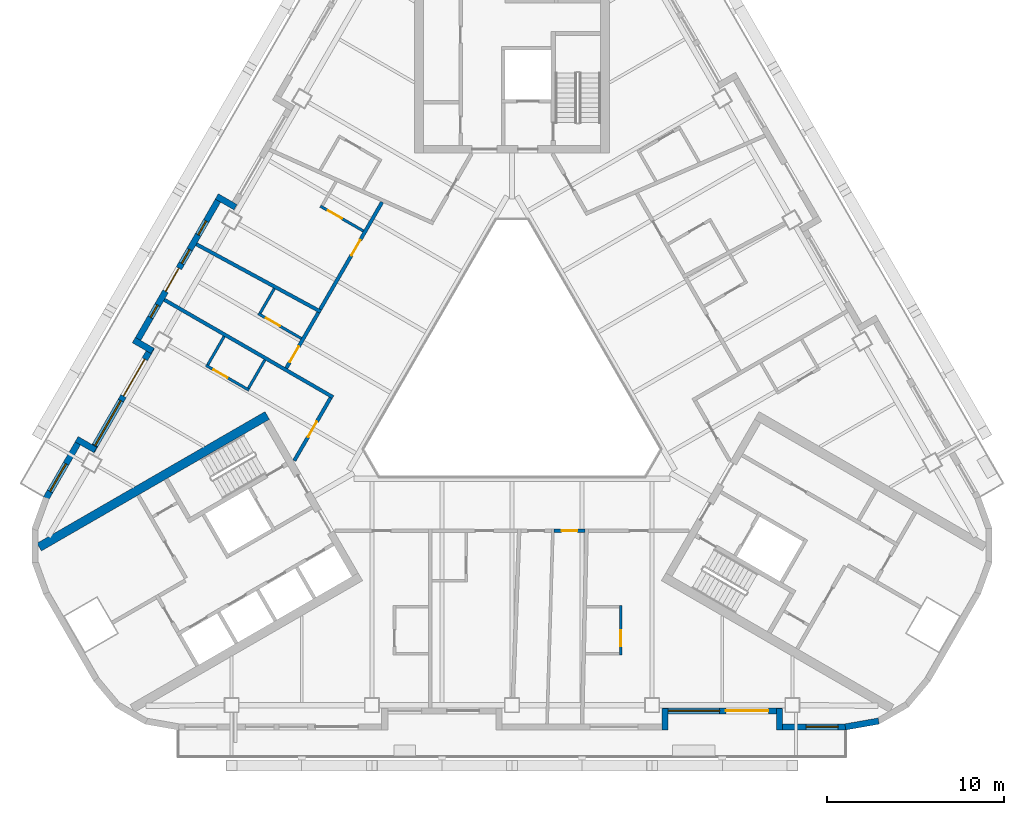
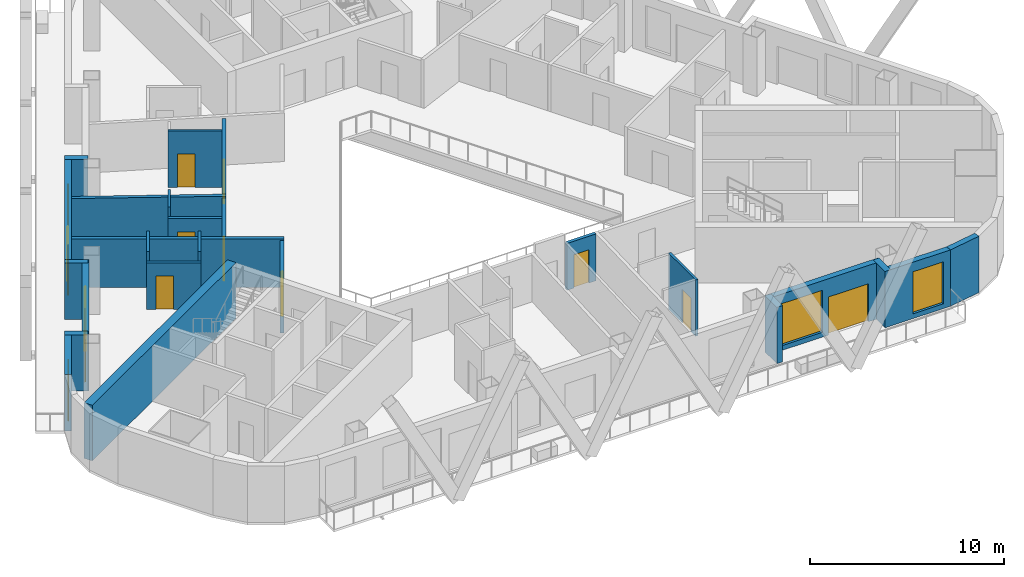
# One storey, part 4 of 14: 25 walls, 11 doors, 7 windows, 18 openings.
"""IFC4 building model written with IfcOpenShell, lengths in metres."""

from ifc_helpers import new_model, si_unit, direction, frame, frame_2d, origin, place, context, subcontext, project, spatial, rectangle, extrude, material, layer, layer_set, type_object, element, fill, save


model = new_model("IFC4")

# Units and contexts
model_context = context("Model", 3, precision=1e-05, world=origin(), true_north=direction((0.0, 1.0)))
body_context = subcontext(model_context, "Body", "Model", "MODEL_VIEW")
ifc_project = project(units=[si_unit("LENGTHUNIT", "METRE"), si_unit("AREAUNIT", "SQUARE_METRE"), si_unit("VOLUMEUNIT", "CUBIC_METRE"), si_unit("PLANEANGLEUNIT", "RADIAN"), si_unit("MASSUNIT", "GRAM", prefix="KILO")], contexts=[model_context])

# Site, building, storey
site_placement = place(None, origin())
site = spatial("IfcSite", under=ifc_project, at=site_placement, CompositionType="ELEMENT")
building_placement = place(site_placement, origin())
building = spatial("IfcBuilding", under=site, at=building_placement, Name="Apuvela Tower Hotel", CompositionType="ELEMENT")
storey_placement = place(building_placement, frame((0.0, 0.0, 154.0)))
storey = spatial("IfcBuildingStorey", under=building, at=storey_placement, Name="L36", CompositionType="ELEMENT", Elevation=154.0)

# Walls
ifc_material_1 = material(Name="Concrete C50/60", Category="concrete")
ifc_layer_1 = layer(ifc_material_1, 0.5)
ifc_layer_set_1 = layer_set([ifc_layer_1], Name="COR-WALL-CORE-500")
wall_type_1 = type_object("IfcWallType", Name="COR-WALL-CORE-500", PredefinedType="SHEAR", material=ifc_layer_set_1)
wall_1_placement = place(storey_placement, frame((-13.796630859375, -1.9033203125, 0.0), z_axis=(0.0, 0.0, 1.0), x_axis=(-0.866025009528, -0.500000682871, 0.0)))
element("IfcWall", 1, at=wall_1_placement, inside=storey, type_object=wall_type_1, Name="Core wall SW", PredefinedType="SHEAR", context=body_context, shape_type="SweptSolid", body=[
    extrude(rectangle(XDim=14.8369140625, YDim=0.5, at=frame_2d((7.41845703125, 0.0))), origin(), (0.0, 0.0, 1.0), 3.5),
])
ifc_material_2 = material(Name="Concrete C40/50, dark pigmented precast panel", Category="concrete")
ifc_layer_2 = layer(ifc_material_2, 0.35009765625)
ifc_layer_set_2 = layer_set([ifc_layer_2], Name="ENV-WALL-350")
wall_type_2 = type_object("IfcWallType", Name="ENV-WALL-350", PredefinedType="SOLIDWALL", material=ifc_layer_set_2)
wall_2_placement = place(storey_placement, frame((-15.580810546875, 9.8330078125, 0.0), z_axis=(0.0, 0.0, 1.0), x_axis=(-0.866055662726, 0.499947586314, 0.0)))
element("IfcWall", 2, at=wall_2_placement, inside=storey, type_object=wall_type_2, Name="External wall L36-04", PredefinedType="SOLIDWALL", context=body_context, shape_type="SweptSolid", body=[
    extrude(rectangle(XDim=1.220458984375, YDim=0.35009765625, at=frame_2d((0.6103515625, 0.0))), origin(), (0.0, 0.0, 1.0), 3.550048828125),
])

# Wall, openings, door, windows
wall_3_placement = place(storey_placement, frame((-16.3984375, 10.507080078125, 0.0), z_axis=(0.0, 0.0, 1.0), x_axis=(-0.499999142773, -0.866025898704, 0.0)))
wall_3 = element("IfcWall", 3, at=wall_3_placement, inside=storey, type_object=wall_type_2, Name="External wall L36-05", PredefinedType="SOLIDWALL", context=body_context, shape_type="SweptSolid", body=[
    extrude(rectangle(XDim=9.7001953125, YDim=0.35009765625, at=frame_2d((4.85009765625, 0.0))), origin(), (0.0, 0.0, 1.0), 3.550048828125),
])
opening_1_placement = place(wall_3_placement, frame((1.67529296875, 0.0, 0.300048828125)))
opening_1 = element("IfcOpeningElement", 4, at=opening_1_placement, cuts=wall_3, Name="Opening WN09", PredefinedType="OPENING", context=body_context, shape_type="SweptSolid", body=[
    extrude(rectangle(XDim=0.89990234375, YDim=2.64990234375, at=frame_2d((0.449951171875, 1.324951171875))), frame((0.0, 0.18505859375, 0.0), z_axis=(0.0, -1.0, 0.0), x_axis=(1.0, 0.0, 0.0)), (0.0, 0.0, 1.0), 0.3701171875),
])
opening_2_placement = place(wall_3_placement, frame((4.749755859375, 0.0, 0.0)))
opening_2 = element("IfcOpeningElement", 5, at=opening_2_placement, cuts=wall_3, Name="Opening BD15", PredefinedType="OPENING", context=body_context, shape_type="SweptSolid", body=[
    extrude(rectangle(XDim=1.5, YDim=2.39990234375, at=frame_2d((0.75, 1.199951171875))), frame((0.0, 0.18505859375, 0.0), z_axis=(0.0, -1.0, 0.0), x_axis=(1.0, 0.0, 0.0)), (0.0, 0.0, 1.0), 0.3701171875),
])
opening_3_placement = place(wall_3_placement, frame((3.53466796875, 0.0, 0.300048828125)))
opening_3 = element("IfcOpeningElement", 6, at=opening_3_placement, cuts=wall_3, Name="Opening WN09", PredefinedType="OPENING", context=body_context, shape_type="SweptSolid", body=[
    extrude(rectangle(XDim=0.89990234375, YDim=2.64990234375, at=frame_2d((0.449951171875, 1.324951171875))), frame((0.0, 0.18505859375, 0.0), z_axis=(0.0, -1.0, 0.0), x_axis=(1.0, 0.0, 0.0)), (0.0, 0.0, 1.0), 0.3701171875),
])
opening_4_placement = place(wall_3_placement, frame((7.14990234375, 0.0, 0.300048828125)))
opening_4 = element("IfcOpeningElement", 7, at=opening_4_placement, cuts=wall_3, Name="Opening WN08", PredefinedType="OPENING", context=body_context, shape_type="SweptSolid", body=[
    extrude(rectangle(XDim=0.800048828125, YDim=2.64990234375, at=frame_2d((0.39990234375, 1.324951171875))), frame((0.0, 0.18505859375, 0.0), z_axis=(0.0, -1.0, 0.0), x_axis=(1.0, 0.0, 0.0)), (0.0, 0.0, 1.0), 0.3701171875),
])
ifc_material_3 = material(Name="Aluminium 6063-T6, dark bronze anodised frame with dark tinted laminated glass", Category="aluminium")
door_type_1 = type_object("IfcDoorType", Name="ENV-DOOR-BALCONY-1500x2400", OperationType="SLIDING_TO_LEFT", PredefinedType="DOOR", material=ifc_material_3)
door_1_placement = place(opening_2_placement, frame((1.5, 0.0, 0.0), z_axis=(0.0, 0.0, 1.0), x_axis=(-1.0, 0.0, 0.0)))
door_1 = element("IfcDoor", 8, at=door_1_placement, inside=storey, type_object=door_type_1, Name="Balcony door BD15", OperationType="SLIDING_TO_LEFT", OverallHeight=2.39990234375, OverallWidth=1.5, PredefinedType="DOOR", context=body_context, shape_type="SweptSolid", body=[
    extrude(rectangle(XDim=1.5, YDim=2.39990234375, at=frame_2d((0.75, 1.199951171875))), frame((0.0, 0.02490234375, 0.0), z_axis=(0.0, -1.0, 0.0), x_axis=(1.0, 0.0, 0.0)), (0.0, 0.0, 1.0), 0.050048828125),
])
fill(opening_2, door_1)
ifc_material_4 = material(Name="Glass, dark tinted laminated insulated glazing unit", Category="glass")
window_type_1 = type_object("IfcWindowType", Name="ENV-WIN-800x2650", PartitioningType="SINGLE_PANEL", PredefinedType="WINDOW", material=ifc_material_4)
window_1_placement = place(opening_4_placement, origin())
window_1 = element("IfcWindow", 9, at=window_1_placement, inside=storey, type_object=window_type_1, Name="Window WN08", OverallHeight=2.64990234375, OverallWidth=0.800048828125, PartitioningType="SINGLE_PANEL", PredefinedType="WINDOW", context=body_context, shape_type="SweptSolid", body=[
    extrude(rectangle(XDim=0.800048828125, YDim=2.64990234375, at=frame_2d((0.39990234375, 1.324951171875))), frame((0.0, 0.030029296875, 0.0), z_axis=(0.0, -1.0, 0.0), x_axis=(1.0, 0.0, 0.0)), (0.0, 0.0, 1.0), 0.06005859375),
])
fill(opening_4, window_1)
window_type_2 = type_object("IfcWindowType", Name="ENV-WIN-900x2650", PartitioningType="SINGLE_PANEL", PredefinedType="WINDOW", material=ifc_material_4)
window_2_placement = place(opening_1_placement, origin())
window_2 = element("IfcWindow", 10, at=window_2_placement, inside=storey, type_object=window_type_2, Name="Window WN09", OverallHeight=2.64990234375, OverallWidth=0.89990234375, PartitioningType="SINGLE_PANEL", PredefinedType="WINDOW", context=body_context, shape_type="SweptSolid", body=[
    extrude(rectangle(XDim=0.89990234375, YDim=2.64990234375, at=frame_2d((0.449951171875, 1.324951171875))), frame((0.0, 0.030029296875, 0.0), z_axis=(0.0, -1.0, 0.0), x_axis=(1.0, 0.0, 0.0)), (0.0, 0.0, 1.0), 0.06005859375),
])
fill(opening_1, window_2)
window_3_placement = place(opening_3_placement, origin())
window_3 = element("IfcWindow", 11, at=window_3_placement, inside=storey, type_object=window_type_2, Name="Window WN09", OverallHeight=2.64990234375, OverallWidth=0.89990234375, PartitioningType="SINGLE_PANEL", PredefinedType="WINDOW", context=body_context, shape_type="SweptSolid", body=[
    extrude(rectangle(XDim=0.89990234375, YDim=2.64990234375, at=frame_2d((0.449951171875, 1.324951171875))), frame((0.0, 0.030029296875, 0.0), z_axis=(0.0, -1.0, 0.0), x_axis=(1.0, 0.0, 0.0)), (0.0, 0.0, 1.0), 0.06005859375),
])
fill(opening_3, window_3)

# Wall
wall_4_placement = place(storey_placement, frame((-21.3125, 2.345703125, 0.0), z_axis=(0.0, 0.0, 1.0), x_axis=(0.866005645448, -0.500034220881, 0.0)))
element("IfcWall", 12, at=wall_4_placement, inside=storey, type_object=wall_type_2, Name="External wall L36-06", PredefinedType="SOLIDWALL", context=body_context, shape_type="SweptSolid", body=[
    extrude(rectangle(XDim=1.22021484375, YDim=0.35009765625, at=frame_2d((0.610107421875, 0.0))), origin(), (0.0, 0.0, 1.0), 3.550048828125),
])

# Wall, openings, door, window
wall_5_placement = place(storey_placement, frame((-20.30908203125, 1.93359375, 0.0), z_axis=(0.0, 0.0, 1.0), x_axis=(-0.499992114976, -0.866029956157, 0.0)))
wall_5 = element("IfcWall", 13, at=wall_5_placement, inside=storey, type_object=wall_type_2, Name="External wall L36-07", PredefinedType="SOLIDWALL", context=body_context, shape_type="SweptSolid", body=[
    extrude(rectangle(XDim=6.73974609375, YDim=0.35009765625, at=frame_2d((3.369873046875, 0.0))), origin(), (0.0, 0.0, 1.0), 3.550048828125),
])
opening_5_placement = place(wall_5_placement, frame((0.77001953125, 0.0, 0.0)))
opening_5 = element("IfcOpeningElement", 14, at=opening_5_placement, cuts=wall_5, Name="Opening BD24", PredefinedType="OPENING", context=body_context, shape_type="SweptSolid", body=[
    extrude(rectangle(XDim=2.39990234375, YDim=2.39990234375, at=frame_2d((1.199951171875, 1.199951171875))), frame((0.0, 0.18505859375, 0.0), z_axis=(0.0, -1.0, 0.0), x_axis=(1.0, 0.0, 0.0)), (0.0, 0.0, 1.0), 0.3701171875),
])
opening_6_placement = place(wall_5_placement, frame((3.47021484375, 0.0, 0.300048828125)))
opening_6 = element("IfcOpeningElement", 15, at=opening_6_placement, cuts=wall_5, Name="Opening WN29", PredefinedType="OPENING", context=body_context, shape_type="SweptSolid", body=[
    extrude(rectangle(XDim=2.89990234375, YDim=2.64990234375, at=frame_2d((1.449951171875, 1.324951171875))), frame((0.0, 0.18505859375, 0.0), z_axis=(0.0, -1.0, 0.0), x_axis=(1.0, 0.0, 0.0)), (0.0, 0.0, 1.0), 0.3701171875),
])
door_type_2 = type_object("IfcDoorType", Name="ENV-DOOR-BALCONY-2400x2400", OperationType="SLIDING_TO_LEFT", PredefinedType="DOOR", material=ifc_material_3)
door_2_placement = place(opening_5_placement, frame((2.39990234375, 0.0, 0.0), z_axis=(0.0, 0.0, 1.0), x_axis=(-1.0, 0.0, 0.0)))
door_2 = element("IfcDoor", 16, at=door_2_placement, inside=storey, type_object=door_type_2, Name="Balcony door BD24", OperationType="SLIDING_TO_LEFT", OverallHeight=2.39990234375, OverallWidth=2.39990234375, PredefinedType="DOOR", context=body_context, shape_type="SweptSolid", body=[
    extrude(rectangle(XDim=2.39990234375, YDim=2.39990234375, at=frame_2d((1.199951171875, 1.199951171875))), frame((0.0, 0.02490234375, 0.0), z_axis=(0.0, -1.0, 0.0), x_axis=(1.0, 0.0, 0.0)), (0.0, 0.0, 1.0), 0.050048828125),
])
fill(opening_5, door_2)
window_type_3 = type_object("IfcWindowType", Name="ENV-WIN-2900x2650", PartitioningType="SINGLE_PANEL", PredefinedType="WINDOW", material=ifc_material_4)
window_4_placement = place(opening_6_placement, origin())
window_4 = element("IfcWindow", 17, at=window_4_placement, inside=storey, type_object=window_type_3, Name="Window WN29", OverallHeight=2.64990234375, OverallWidth=2.89990234375, PartitioningType="SINGLE_PANEL", PredefinedType="WINDOW", context=body_context, shape_type="SweptSolid", body=[
    extrude(rectangle(XDim=2.89990234375, YDim=2.64990234375, at=frame_2d((1.449951171875, 1.324951171875))), frame((0.0, 0.030029296875, 0.0), z_axis=(0.0, -1.0, 0.0), x_axis=(1.0, 0.0, 0.0)), (0.0, 0.0, 1.0), 0.06005859375),
])
fill(opening_6, window_4)

# Wall
wall_6_placement = place(storey_placement, frame((-23.48095703125, -3.85009765625, 0.0), z_axis=(0.0, 0.0, 1.0), x_axis=(-0.866092288191, 0.499884134912, 0.0)))
element("IfcWall", 18, at=wall_6_placement, inside=storey, type_object=wall_type_2, Name="External wall L36-08", PredefinedType="SOLIDWALL", context=body_context, shape_type="SweptSolid", body=[
    extrude(rectangle(XDim=1.219970703125, YDim=0.35009765625, at=frame_2d((0.60986328125, 0.0))), origin(), (0.0, 0.0, 1.0), 3.550048828125),
])

# Wall, opening, window
wall_7_placement = place(storey_placement, frame((-24.298583984375, -3.17626953125, 0.0), z_axis=(0.0, 0.0, 1.0), x_axis=(-0.500028278809, -0.866009076391, 0.0)))
wall_7 = element("IfcWall", 19, at=wall_7_placement, inside=storey, type_object=wall_type_2, Name="External wall L36-09", PredefinedType="SOLIDWALL", context=body_context, shape_type="SweptSolid", body=[
    extrude(rectangle(XDim=3.915771484375, YDim=0.35009765625, at=frame_2d((1.9580078125, 0.0))), origin(), (0.0, 0.0, 1.0), 3.550048828125),
])
opening_7_placement = place(wall_7_placement, frame((1.675048828125, 0.0, 0.300048828125)))
opening_7 = element("IfcOpeningElement", 20, at=opening_7_placement, cuts=wall_7, Name="Opening WN18", PredefinedType="OPENING", context=body_context, shape_type="SweptSolid", body=[
    extrude(rectangle(XDim=1.800048828125, YDim=2.64990234375, at=frame_2d((0.89990234375, 1.324951171875))), frame((0.0, 0.18505859375, 0.0), z_axis=(0.0, -1.0, 0.0), x_axis=(1.0, 0.0, 0.0)), (0.0, 0.0, 1.0), 0.3701171875),
])
window_type_4 = type_object("IfcWindowType", Name="ENV-WIN-1800x2650", PartitioningType="SINGLE_PANEL", PredefinedType="WINDOW", material=ifc_material_4)
window_5_placement = place(opening_7_placement, origin())
window_5 = element("IfcWindow", 21, at=window_5_placement, inside=storey, type_object=window_type_4, Name="Window WN18", OverallHeight=2.64990234375, OverallWidth=1.800048828125, PartitioningType="SINGLE_PANEL", PredefinedType="WINDOW", context=body_context, shape_type="SweptSolid", body=[
    extrude(rectangle(XDim=1.800048828125, YDim=2.64990234375, at=frame_2d((0.89990234375, 1.324951171875))), frame((0.0, 0.030029296875, 0.0), z_axis=(0.0, -1.0, 0.0), x_axis=(1.0, 0.0, 0.0)), (0.0, 0.0, 1.0), 0.06005859375),
])
fill(opening_7, window_5)

# Wall
wall_8_placement = place(storey_placement, frame((8.625, -19.6298828125, 0.0), z_axis=(0.0, 0.0, 1.0), x_axis=(0.0, 1.0, 0.0)))
element("IfcWall", 22, at=wall_8_placement, inside=storey, type_object=wall_type_2, Name="External wall L36-22", PredefinedType="SOLIDWALL", context=body_context, shape_type="SweptSolid", body=[
    extrude(rectangle(XDim=1.219970703125, YDim=0.35009765625, at=frame_2d((0.60986328125, 0.0))), origin(), (0.0, 0.0, 1.0), 3.550048828125),
])

# Wall, openings, door, window
wall_9_placement = place(storey_placement, frame((8.47998046875, -18.554931640625, 0.0), z_axis=(0.0, 0.0, 1.0), x_axis=(1.0, 0.0, 0.0)))
wall_9 = element("IfcWall", 23, at=wall_9_placement, inside=storey, type_object=wall_type_2, Name="External wall L36-23", PredefinedType="SOLIDWALL", context=body_context, shape_type="SweptSolid", body=[
    extrude(rectangle(XDim=6.739990234375, YDim=0.35009765625, at=frame_2d((3.3701171875, 0.0))), origin(), (0.0, 0.0, 1.0), 3.550048828125),
])
opening_8_placement = place(wall_9_placement, frame((3.570068359375, 0.0, 0.0)))
opening_8 = element("IfcOpeningElement", 24, at=opening_8_placement, cuts=wall_9, Name="Opening BD24", PredefinedType="OPENING", context=body_context, shape_type="SweptSolid", body=[
    extrude(rectangle(XDim=2.39990234375, YDim=2.39990234375, at=frame_2d((1.199951171875, 1.199951171875))), frame((0.0, 0.18505859375, 0.0), z_axis=(0.0, -1.0, 0.0), x_axis=(1.0, 0.0, 0.0)), (0.0, 0.0, 1.0), 0.3701171875),
])
opening_9_placement = place(wall_9_placement, frame((0.3203125, 0.0, 0.300048828125)))
opening_9 = element("IfcOpeningElement", 25, at=opening_9_placement, cuts=wall_9, Name="Opening WN29", PredefinedType="OPENING", context=body_context, shape_type="SweptSolid", body=[
    extrude(rectangle(XDim=2.89990234375, YDim=2.64990234375, at=frame_2d((1.449951171875, 1.324951171875))), frame((0.0, 0.18505859375, 0.0), z_axis=(0.0, -1.0, 0.0), x_axis=(1.0, 0.0, 0.0)), (0.0, 0.0, 1.0), 0.3701171875),
])
door_3_placement = place(opening_8_placement, frame((2.39990234375, 0.0, 0.0), z_axis=(0.0, 0.0, 1.0), x_axis=(-1.0, 0.0, 0.0)))
door_3 = element("IfcDoor", 26, at=door_3_placement, inside=storey, type_object=door_type_2, Name="Balcony door BD24", OperationType="SLIDING_TO_LEFT", OverallHeight=2.39990234375, OverallWidth=2.39990234375, PredefinedType="DOOR", context=body_context, shape_type="SweptSolid", body=[
    extrude(rectangle(XDim=2.39990234375, YDim=2.39990234375, at=frame_2d((1.199951171875, 1.199951171875))), frame((0.0, 0.02490234375, 0.0), z_axis=(0.0, -1.0, 0.0), x_axis=(1.0, 0.0, 0.0)), (0.0, 0.0, 1.0), 0.050048828125),
])
fill(opening_8, door_3)
window_6_placement = place(opening_9_placement, origin())
window_6 = element("IfcWindow", 27, at=window_6_placement, inside=storey, type_object=window_type_3, Name="Window WN29", OverallHeight=2.64990234375, OverallWidth=2.89990234375, PartitioningType="SINGLE_PANEL", PredefinedType="WINDOW", context=body_context, shape_type="SweptSolid", body=[
    extrude(rectangle(XDim=2.89990234375, YDim=2.64990234375, at=frame_2d((1.449951171875, 1.324951171875))), frame((0.0, 0.030029296875, 0.0), z_axis=(0.0, -1.0, 0.0), x_axis=(1.0, 0.0, 0.0)), (0.0, 0.0, 1.0), 0.06005859375),
])
fill(opening_9, window_6)

# Wall
wall_10_placement = place(storey_placement, frame((15.074951171875, -18.409912109375, 0.0), z_axis=(0.0, 0.0, 1.0), x_axis=(0.0, -1.0, 0.0)))
element("IfcWall", 28, at=wall_10_placement, inside=storey, type_object=wall_type_2, Name="External wall L36-24", PredefinedType="SOLIDWALL", context=body_context, shape_type="SweptSolid", body=[
    extrude(rectangle(XDim=1.219970703125, YDim=0.35009765625, at=frame_2d((0.60986328125, 0.0))), origin(), (0.0, 0.0, 1.0), 3.550048828125),
])

# Wall, opening, window
wall_11_placement = place(storey_placement, frame((14.89990234375, -19.455078125, 0.0), z_axis=(0.0, 0.0, 1.0), x_axis=(1.0, 0.0, 0.0)))
wall_11 = element("IfcWall", 29, at=wall_11_placement, inside=storey, type_object=wall_type_2, Name="External wall L36-25", PredefinedType="SOLIDWALL", context=body_context, shape_type="SweptSolid", body=[
    extrude(rectangle(XDim=3.916015625, YDim=0.35009765625, at=frame_2d((1.9580078125, 0.0))), origin(), (0.0, 0.0, 1.0), 3.550048828125),
])
opening_10_placement = place(wall_11_placement, frame((1.674560546875, 0.0, 0.300048828125)))
opening_10 = element("IfcOpeningElement", 30, at=opening_10_placement, cuts=wall_11, Name="Opening WN18", PredefinedType="OPENING", context=body_context, shape_type="SweptSolid", body=[
    extrude(rectangle(XDim=1.800048828125, YDim=2.64990234375, at=frame_2d((0.89990234375, 1.324951171875))), frame((0.0, 0.18505859375, 0.0), z_axis=(0.0, -1.0, 0.0), x_axis=(1.0, 0.0, 0.0)), (0.0, 0.0, 1.0), 0.3701171875),
])
window_7_placement = place(opening_10_placement, origin())
window_7 = element("IfcWindow", 31, at=window_7_placement, inside=storey, type_object=window_type_4, Name="Window WN18", OverallHeight=2.64990234375, OverallWidth=1.800048828125, PartitioningType="SINGLE_PANEL", PredefinedType="WINDOW", context=body_context, shape_type="SweptSolid", body=[
    extrude(rectangle(XDim=1.800048828125, YDim=2.64990234375, at=frame_2d((0.89990234375, 1.324951171875))), frame((0.0, 0.030029296875, 0.0), z_axis=(0.0, -1.0, 0.0), x_axis=(1.0, 0.0, 0.0)), (0.0, 0.0, 1.0), 0.06005859375),
])
fill(opening_10, window_7)

# Walls
wall_12_placement = place(storey_placement, frame((18.785400390625, -19.457763671875, 0.0), z_axis=(0.0, 0.0, 1.0), x_axis=(0.984798995425, 0.173697837091, 0.0)))
element("IfcWall", 32, at=wall_12_placement, inside=storey, type_object=wall_type_2, Name="External wall L36-26", PredefinedType="SOLIDWALL", context=body_context, shape_type="SweptSolid", body=[
    extrude(rectangle(XDim=1.91015625, YDim=0.35009765625, at=frame_2d((0.955078125, 0.0))), origin(), (0.0, 0.0, 1.0), 3.550048828125),
])
ifc_material_5 = material(Name="Gypsum board partition on twin steel stud", Category="steel")
ifc_layer_3 = layer(ifc_material_5, 0.199951171875)
ifc_layer_set_3 = layer_set([ifc_layer_3], Name="GST-PW1")
wall_type_3 = type_object("IfcWallType", Name="GST-PW1", PredefinedType="PARTITIONING", material=ifc_layer_set_3)
wall_13_placement = place(storey_placement, frame((-17.78955078125, 7.747802734375, 0.0), z_axis=(0.0, 0.0, 1.0), x_axis=(0.878932558121, -0.476946074808, 0.0)))
element("IfcWall", 33, at=wall_13_placement, inside=storey, type_object=wall_type_3, Name="L36 partition 08", PredefinedType="PARTITIONING", context=body_context, shape_type="SweptSolid", body=[
    extrude(rectangle(XDim=7.98291015625, YDim=0.199951171875, at=frame_2d((3.991455078125, 0.0))), origin(), (0.0, 0.0, 1.0), 3.06005859375),
])
wall_14_placement = place(storey_placement, frame((-19.596923828125, 4.6171875, 0.0), z_axis=(0.0, 0.0, 1.0), x_axis=(0.866027479907, -0.499996404033, 0.0)))
element("IfcWall", 34, at=wall_14_placement, inside=storey, type_object=wall_type_3, Name="L36 partition 09", PredefinedType="PARTITIONING", context=body_context, shape_type="SweptSolid", body=[
    extrude(rectangle(XDim=10.97998046875, YDim=0.199951171875, at=frame_2d((5.489990234375, 0.0))), origin(), (0.0, 0.0, 1.0), 3.06005859375),
])

# Wall, opening, door
ifc_material_6 = material(Name="Gypsum board corridor wall on twin steel stud, acoustic", Category="steel")
ifc_layer_4 = layer(ifc_material_6, 0.199951171875)
ifc_layer_set_4 = layer_set([ifc_layer_4], Name="GST-PW2")
wall_type_4 = type_object("IfcWallType", Name="GST-PW2", PredefinedType="PARTITIONING", material=ifc_layer_set_4)
wall_15_placement = place(storey_placement, frame((4.102294921875, -8.39990234375, 0.0), z_axis=(0.0, 0.0, 1.0), x_axis=(-1.0, 0.0, 0.0)))
wall_15 = element("IfcWall", 35, at=wall_15_placement, inside=storey, type_object=wall_type_4, Name="L36 partition 19", PredefinedType="PARTITIONING", context=body_context, shape_type="SweptSolid", body=[
    extrude(rectangle(XDim=1.724365234375, YDim=0.199951171875, at=frame_2d((0.8623046875, 0.0))), origin(), (0.0, 0.0, 1.0), 2.949951171875),
])
opening_11_placement = place(wall_15_placement, frame((0.412109375, 0.0, 0.0)))
opening_11 = element("IfcOpeningElement", 36, at=opening_11_placement, cuts=wall_15, Name="Opening GD13-06", PredefinedType="OPENING", context=body_context, shape_type="SweptSolid", body=[
    extrude(rectangle(XDim=0.89990234375, YDim=2.10009765625, at=frame_2d((0.449951171875, 1.050048828125))), frame((0.0, 0.10986328125, 0.0), z_axis=(0.0, -1.0, 0.0), x_axis=(1.0, 0.0, 0.0)), (0.0, 0.0, 1.0), 0.219970703125),
])
ifc_material_7 = material(Name="Timber door leaf in steel frame", Category="steel")
door_type_3 = type_object("IfcDoorType", Name="GST-D2", OperationType="NOTDEFINED", PredefinedType="DOOR", material=ifc_material_7)
door_4_placement = place(opening_11_placement, origin())
door_4 = element("IfcDoor", 37, at=door_4_placement, inside=storey, type_object=door_type_3, Name="Door L36-06", OperationType="SINGLE_SWING_RIGHT", OverallHeight=2.10009765625, OverallWidth=0.89990234375, PredefinedType="DOOR", context=body_context, shape_type="SweptSolid", body=[
    extrude(rectangle(XDim=0.89990234375, YDim=2.10009765625, at=frame_2d((0.449951171875, 1.050048828125))), frame((0.0, 0.02490234375, 0.0), z_axis=(0.0, -1.0, 0.0), x_axis=(1.0, 0.0, 0.0)), (0.0, 0.0, 1.0), 0.050048828125),
])
fill(opening_11, door_4)

wall_16_placement = place(storey_placement, frame((-10.81103515625, 4.07470703125, 0.0), z_axis=(0.0, 0.0, 1.0), x_axis=(0.500006032813, 0.86602192071, 0.0)))
wall_16 = element("IfcWall", 38, at=wall_16_placement, inside=storey, type_object=wall_type_4, Name="L36 partition 42", PredefinedType="PARTITIONING", context=body_context, shape_type="SweptSolid", body=[
    extrude(rectangle(XDim=6.98046875, YDim=0.199951171875, at=frame_2d((3.490234375, 0.0))), origin(), (0.0, 0.0, 1.0), 2.949951171875),
])
opening_12_placement = place(wall_16_placement, frame((3.52001953125, 0.0, 0.0)))
opening_12 = element("IfcOpeningElement", 39, at=opening_12_placement, cuts=wall_16, Name="Opening GD13-20", PredefinedType="OPENING", context=body_context, shape_type="SweptSolid", body=[
    extrude(rectangle(XDim=1.0, YDim=2.10009765625, at=frame_2d((0.5, 1.050048828125))), frame((0.0, 0.10986328125, 0.0), z_axis=(0.0, -1.0, 0.0), x_axis=(1.0, 0.0, 0.0)), (0.0, 0.0, 1.0), 0.219970703125),
])
door_type_4 = type_object("IfcDoorType", Name="GST-D1", OperationType="NOTDEFINED", PredefinedType="DOOR", material=ifc_material_7)
door_5_placement = place(opening_12_placement, origin())
door_5 = element("IfcDoor", 40, at=door_5_placement, inside=storey, type_object=door_type_4, Name="Door L36-20", OperationType="SINGLE_SWING_LEFT", OverallHeight=2.10009765625, OverallWidth=1.0, PredefinedType="DOOR", context=body_context, shape_type="SweptSolid", body=[
    extrude(rectangle(XDim=1.0, YDim=2.10009765625, at=frame_2d((0.5, 1.050048828125))), frame((0.0, 0.02490234375, 0.0), z_axis=(0.0, -1.0, 0.0), x_axis=(1.0, 0.0, 0.0)), (0.0, 0.0, 1.0), 0.050048828125),
])
fill(opening_12, door_5)

wall_17_placement = place(storey_placement, frame((-12.72265625, 0.763671875, 0.0), z_axis=(0.0, 0.0, 1.0), x_axis=(0.500016018658, 0.86601615521, 0.0)))
wall_17 = element("IfcWall", 41, at=wall_17_placement, inside=storey, type_object=wall_type_4, Name="L36 partition 45", PredefinedType="PARTITIONING", context=body_context, shape_type="SweptSolid", body=[
    extrude(rectangle(XDim=3.62353515625, YDim=0.199951171875, at=frame_2d((1.811767578125, 0.0))), origin(), (0.0, 0.0, 1.0), 2.949951171875),
])
opening_13_placement = place(wall_17_placement, frame((0.39990234375, 0.0, 0.0)))
opening_13 = element("IfcOpeningElement", 42, at=opening_13_placement, cuts=wall_17, Name="Opening GD13-22", PredefinedType="OPENING", context=body_context, shape_type="SweptSolid", body=[
    extrude(rectangle(XDim=1.0, YDim=2.10009765625, at=frame_2d((0.5, 1.050048828125))), frame((0.0, 0.10986328125, 0.0), z_axis=(0.0, -1.0, 0.0), x_axis=(1.0, 0.0, 0.0)), (0.0, 0.0, 1.0), 0.219970703125),
])
door_6_placement = place(opening_13_placement, origin())
door_6 = element("IfcDoor", 43, at=door_6_placement, inside=storey, type_object=door_type_4, Name="Door L36-22", OperationType="SINGLE_SWING_LEFT", OverallHeight=2.10009765625, OverallWidth=1.0, PredefinedType="DOOR", context=body_context, shape_type="SweptSolid", body=[
    extrude(rectangle(XDim=1.0, YDim=2.10009765625, at=frame_2d((0.5, 1.050048828125))), frame((0.0, 0.02490234375, 0.0), z_axis=(0.0, -1.0, 0.0), x_axis=(1.0, 0.0, 0.0)), (0.0, 0.0, 1.0), 0.050048828125),
])
fill(opening_13, door_6)

wall_18_placement = place(storey_placement, frame((-12.268798828125, -4.449951171875, 0.0), z_axis=(0.0, 0.0, 1.0), x_axis=(0.500011931275, 0.86601851515, 0.0)))
wall_18 = element("IfcWall", 44, at=wall_18_placement, inside=storey, type_object=wall_type_4, Name="L36 partition 48", PredefinedType="PARTITIONING", context=body_context, shape_type="SweptSolid", body=[
    extrude(rectangle(XDim=4.08837890625, YDim=0.199951171875, at=frame_2d((2.044189453125, 0.0))), origin(), (0.0, 0.0, 1.0), 2.949951171875),
])
opening_14_placement = place(wall_18_placement, frame((1.544189453125, 0.0, 0.0)))
opening_14 = element("IfcOpeningElement", 45, at=opening_14_placement, cuts=wall_18, Name="Opening GD13-24", PredefinedType="OPENING", context=body_context, shape_type="SweptSolid", body=[
    extrude(rectangle(XDim=1.0, YDim=2.10009765625, at=frame_2d((0.5, 1.050048828125))), frame((0.0, 0.10986328125, 0.0), z_axis=(0.0, -1.0, 0.0), x_axis=(1.0, 0.0, 0.0)), (0.0, 0.0, 1.0), 0.219970703125),
])
door_7_placement = place(opening_14_placement, origin())
door_7 = element("IfcDoor", 46, at=door_7_placement, inside=storey, type_object=door_type_4, Name="Door L36-24", OperationType="SINGLE_SWING_RIGHT", OverallHeight=2.10009765625, OverallWidth=1.0, PredefinedType="DOOR", context=body_context, shape_type="SweptSolid", body=[
    extrude(rectangle(XDim=1.0, YDim=2.10009765625, at=frame_2d((0.5, 1.050048828125))), frame((0.0, 0.02490234375, 0.0), z_axis=(0.0, -1.0, 0.0), x_axis=(1.0, 0.0, 0.0)), (0.0, 0.0, 1.0), 0.050048828125),
])
fill(opening_14, door_7)

ifc_material_8 = material(Name="Moisture-resistant gypsum board wet wall on steel stud", Category="steel")
ifc_layer_5 = layer(ifc_material_8, 0.14990234375)
ifc_layer_set_5 = layer_set([ifc_layer_5], Name="GST-PW3")
wall_type_5 = type_object("IfcWallType", Name="GST-PW3", PredefinedType="PARTITIONING", material=ifc_layer_set_5)
wall_19_placement = place(storey_placement, frame((6.1298828125, -15.39990234375, 0.0), z_axis=(0.0, 0.0, 1.0), x_axis=(0.0, 1.0, 0.0)))
wall_19 = element("IfcWall", 47, at=wall_19_placement, inside=storey, type_object=wall_type_5, Name="L36 partition 21", PredefinedType="PARTITIONING", context=body_context, shape_type="SweptSolid", body=[
    extrude(rectangle(XDim=2.7998046875, YDim=0.14990234375, at=frame_2d((1.39990234375, 0.0))), origin(), (0.0, 0.0, 1.0), 3.550048828125),
])
opening_15_placement = place(wall_19_placement, frame((0.5, 0.0, 0.0)))
opening_15 = element("IfcOpeningElement", 48, at=opening_15_placement, cuts=wall_19, Name="Opening GD13-07", PredefinedType="OPENING", context=body_context, shape_type="SweptSolid", body=[
    extrude(rectangle(XDim=0.89990234375, YDim=2.10009765625, at=frame_2d((0.449951171875, 1.050048828125))), frame((0.0, 0.0849609375, 0.0), z_axis=(0.0, -1.0, 0.0), x_axis=(1.0, 0.0, 0.0)), (0.0, 0.0, 1.0), 0.169921875),
])
door_8_placement = place(opening_15_placement, origin())
door_8 = element("IfcDoor", 49, at=door_8_placement, inside=storey, type_object=door_type_3, Name="Door L36-07", OperationType="SINGLE_SWING_LEFT", OverallHeight=2.10009765625, OverallWidth=0.89990234375, PredefinedType="DOOR", context=body_context, shape_type="SweptSolid", body=[
    extrude(rectangle(XDim=0.89990234375, YDim=2.10009765625, at=frame_2d((0.449951171875, 1.050048828125))), frame((0.0, 0.02490234375, 0.0), z_axis=(0.0, -1.0, 0.0), x_axis=(1.0, 0.0, 0.0)), (0.0, 0.0, 1.0), 0.050048828125),
])
fill(opening_15, door_8)

wall_20_placement = place(storey_placement, frame((-10.800048828125, 9.893798828125, 0.0), z_axis=(0.0, 0.0, 1.0), x_axis=(0.866056369097, -0.49994636267, 0.0)))
wall_20 = element("IfcWall", 50, at=wall_20_placement, inside=storey, type_object=wall_type_5, Name="L36 partition 43", PredefinedType="PARTITIONING", context=body_context, shape_type="SweptSolid", body=[
    extrude(rectangle(XDim=2.800048828125, YDim=0.14990234375, at=frame_2d((1.39990234375, 0.0))), origin(), (0.0, 0.0, 1.0), 3.550048828125),
])
opening_16_placement = place(wall_20_placement, frame((0.5, 0.0, 0.0)))
opening_16 = element("IfcOpeningElement", 51, at=opening_16_placement, cuts=wall_20, Name="Opening GD13-19", PredefinedType="OPENING", context=body_context, shape_type="SweptSolid", body=[
    extrude(rectangle(XDim=0.89990234375, YDim=2.10009765625, at=frame_2d((0.449951171875, 1.050048828125))), frame((0.0, 0.0849609375, 0.0), z_axis=(0.0, -1.0, 0.0), x_axis=(1.0, 0.0, 0.0)), (0.0, 0.0, 1.0), 0.169921875),
])
door_9_placement = place(opening_16_placement, origin())
door_9 = element("IfcDoor", 52, at=door_9_placement, inside=storey, type_object=door_type_3, Name="Door L36-19", OperationType="SINGLE_SWING_LEFT", OverallHeight=2.10009765625, OverallWidth=0.89990234375, PredefinedType="DOOR", context=body_context, shape_type="SweptSolid", body=[
    extrude(rectangle(XDim=0.89990234375, YDim=2.10009765625, at=frame_2d((0.449951171875, 1.050048828125))), frame((0.0, 0.02490234375, 0.0), z_axis=(0.0, -1.0, 0.0), x_axis=(1.0, 0.0, 0.0)), (0.0, 0.0, 1.0), 0.050048828125),
])
fill(opening_16, door_9)

wall_21_placement = place(storey_placement, frame((-14.298095703125, 3.835205078125, 0.0), z_axis=(0.0, 0.0, 1.0), x_axis=(0.866056369097, -0.49994636267, 0.0)))
wall_21 = element("IfcWall", 53, at=wall_21_placement, inside=storey, type_object=wall_type_5, Name="L36 partition 46", PredefinedType="PARTITIONING", context=body_context, shape_type="SweptSolid", body=[
    extrude(rectangle(XDim=2.800048828125, YDim=0.14990234375, at=frame_2d((1.39990234375, 0.0))), origin(), (0.0, 0.0, 1.0), 2.949951171875),
])
opening_17_placement = place(wall_21_placement, frame((0.5, 0.0, 0.0)))
opening_17 = element("IfcOpeningElement", 54, at=opening_17_placement, cuts=wall_21, Name="Opening GD13-21", PredefinedType="OPENING", context=body_context, shape_type="SweptSolid", body=[
    extrude(rectangle(XDim=0.89990234375, YDim=2.10009765625, at=frame_2d((0.449951171875, 1.050048828125))), frame((0.0, 0.0849609375, 0.0), z_axis=(0.0, -1.0, 0.0), x_axis=(1.0, 0.0, 0.0)), (0.0, 0.0, 1.0), 0.169921875),
])
door_10_placement = place(opening_17_placement, origin())
door_10 = element("IfcDoor", 55, at=door_10_placement, inside=storey, type_object=door_type_3, Name="Door L36-21", OperationType="SINGLE_SWING_LEFT", OverallHeight=2.10009765625, OverallWidth=0.89990234375, PredefinedType="DOOR", context=body_context, shape_type="SweptSolid", body=[
    extrude(rectangle(XDim=0.89990234375, YDim=2.10009765625, at=frame_2d((0.449951171875, 1.050048828125))), frame((0.0, 0.02490234375, 0.0), z_axis=(0.0, -1.0, 0.0), x_axis=(1.0, 0.0, 0.0)), (0.0, 0.0, 1.0), 0.050048828125),
])
fill(opening_17, door_10)

# Wall
wall_22_placement = place(storey_placement, frame((-13.39501953125, 5.249267578125, 0.0), z_axis=(0.0, 0.0, 1.0), x_axis=(-0.499960029081, -0.866048479775, 0.0)))
element("IfcWall", 56, at=wall_22_placement, inside=storey, type_object=wall_type_5, Name="L36 partition 47", PredefinedType="PARTITIONING", context=body_context, shape_type="SweptSolid", body=[
    extrude(rectangle(XDim=1.601318359375, YDim=0.14990234375, at=frame_2d((0.80078125, 0.0))), origin(), (0.0, 0.0, 1.0), 3.550048828125),
])

# Wall, opening, door
wall_23_placement = place(storey_placement, frame((-17.249267578125, 0.92333984375, 0.0), z_axis=(0.0, 0.0, 1.0), x_axis=(0.866034573852, -0.49998411664, 0.0)))
wall_23 = element("IfcWall", 57, at=wall_23_placement, inside=storey, type_object=wall_type_5, Name="L36 partition 49", PredefinedType="PARTITIONING", context=body_context, shape_type="SweptSolid", body=[
    extrude(rectangle(XDim=2.7998046875, YDim=0.14990234375, at=frame_2d((1.39990234375, 0.0))), origin(), (0.0, 0.0, 1.0), 2.949951171875),
])
opening_18_placement = place(wall_23_placement, frame((0.5, 0.0, 0.0)))
opening_18 = element("IfcOpeningElement", 58, at=opening_18_placement, cuts=wall_23, Name="Opening GD13-23", PredefinedType="OPENING", context=body_context, shape_type="SweptSolid", body=[
    extrude(rectangle(XDim=0.89990234375, YDim=2.10009765625, at=frame_2d((0.449951171875, 1.050048828125))), frame((0.0, 0.0849609375, 0.0), z_axis=(0.0, -1.0, 0.0), x_axis=(1.0, 0.0, 0.0)), (0.0, 0.0, 1.0), 0.169921875),
])
door_11_placement = place(opening_18_placement, origin())
door_11 = element("IfcDoor", 59, at=door_11_placement, inside=storey, type_object=door_type_3, Name="Door L36-23", OperationType="SINGLE_SWING_LEFT", OverallHeight=2.10009765625, OverallWidth=0.89990234375, PredefinedType="DOOR", context=body_context, shape_type="SweptSolid", body=[
    extrude(rectangle(XDim=0.89990234375, YDim=2.10009765625, at=frame_2d((0.449951171875, 1.050048828125))), frame((0.0, 0.02490234375, 0.0), z_axis=(0.0, -1.0, 0.0), x_axis=(1.0, 0.0, 0.0)), (0.0, 0.0, 1.0), 0.050048828125),
])
fill(opening_18, door_11)

# Walls
for number, where, z_axis, x_axis, name in (
    (60, (-16.2216796875, 2.552978515625, 0.0), (0.0, 0.0, 1.0), (-0.499985172903, -0.866033964044, 0.0), "L36 partition 50"),
    (61, (-13.927001953125, 1.22802734375, 0.0), (0.0, 0.0, 1.0), (-0.499886193382, -0.866091100096, 0.0), "L36 partition 51"),
):
    element("IfcWall", number, at=place(storey_placement, frame(where, z_axis=z_axis, x_axis=x_axis)), inside=storey, type_object=wall_type_5, Name=name, PredefinedType="PARTITIONING", context=body_context, shape_type="SweptSolid", body=[
        extrude(rectangle(XDim=1.85009765625, YDim=0.14990234375, at=frame_2d((0.925048828125, 0.0))), origin(), (0.0, 0.0, 1.0), 3.550048828125),
    ])

save(model, "model.ifc")
